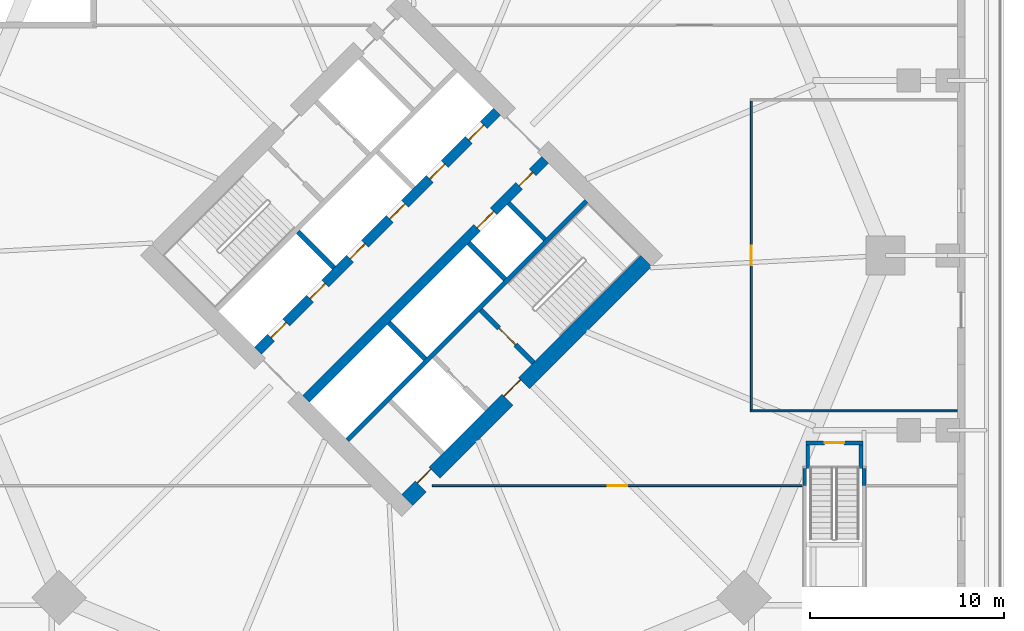
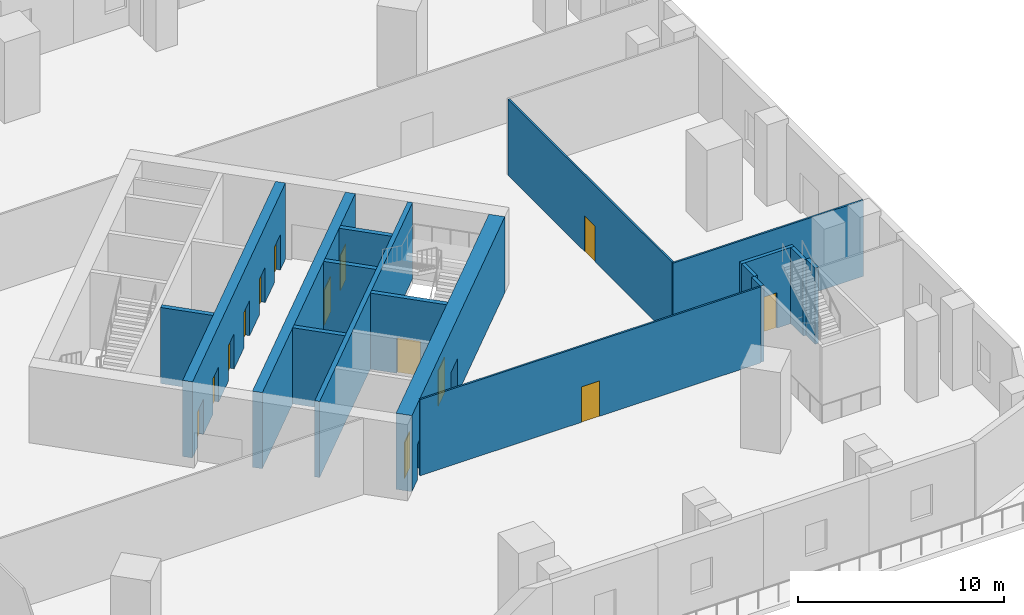
# One storey, part 9 of 17: 17 walls, 14 doors, 14 openings.
"""IFC4 building model written with IfcOpenShell, lengths in metres."""

import ifcopenshell
import ifcopenshell.guid

model = None  # the IFC model being written
_history = None  # IfcOwnerHistory: only IFC2X3 demands one
_inside = {}  # id of a spatial element -> (the spatial element, [elements in it])
_under = {}  # id of a project, library or spatial element -> (it, [spatial elements below it])
_declared = {}  # id of a project -> (the project, [libraries it declares])
_typed = {}  # id of a type object -> (the type object, [elements of that type])
_made_of = {}  # id of a material, layer set ... -> (it, [elements and type objects made of it])


def new_model(schema):
    """Start an empty IFC model of exactly this schema.

    Asked for "IFC4X3", IfcOpenShell would pick the latest addendum, in which some entities
    have other attributes; the version numbers below select the first issue.
    IFC2X3 requires an IfcOwnerHistory on every rooted entity: one is made here for all.
    """
    global model, _history
    if schema == "IFC4X3":
        model = ifcopenshell.file(schema_version=(4, 3, 0, 0))
    else:
        model = ifcopenshell.file(schema=schema)
    _inside.clear()
    _under.clear()
    _declared.clear()
    _typed.clear()
    _made_of.clear()
    _history = None
    if model.schema == "IFC2X3":
        org = make("IfcOrganization", Name="unknown")
        user = make(
            "IfcPersonAndOrganization",
            ThePerson=make("IfcPerson", FamilyName="unknown"),
            TheOrganization=org,
        )
        app = make(
            "IfcApplication",
            ApplicationDeveloper=org,
            Version="unknown",
            ApplicationFullName="unknown",
            ApplicationIdentifier="unknown",
        )
        _history = make(
            "IfcOwnerHistory",
            OwningUser=user,
            OwningApplication=app,
            ChangeAction="ADDED",
            CreationDate=0,
        )
    return model


def make(cls, **values):
    """One entity of the class cls with the attributes given. An attribute that is None is left unset."""
    return model.create_entity(
        cls, **{name: value for name, value in values.items() if value is not None}
    )


def rooted(cls, **values):
    """An entity with a GlobalId (a new one), such as an element, a storey or a relation."""
    return make(cls, GlobalId=ifcopenshell.guid.new(), OwnerHistory=_history, **values)


def si_unit(unit_type, name, prefix=None):
    """IfcSIUnit, for example si_unit("LENGTHUNIT", "METRE", prefix="MILLI")."""
    return make("IfcSIUnit", UnitType=unit_type, Prefix=prefix, Name=name)


def assignment(units):
    """IfcUnitAssignment: the units of a project."""
    return None if units is None else make("IfcUnitAssignment", Units=units)


def point(xyz):
    """IfcCartesianPoint."""
    return None if xyz is None else make("IfcCartesianPoint", Coordinates=xyz)


def direction(xyz):
    """IfcDirection."""
    return None if xyz is None else make("IfcDirection", DirectionRatios=xyz)


def frame(location, z_axis=None, x_axis=None):
    """IfcAxis2Placement3D, a coordinate frame: its origin and axes. An axis left out is left unset."""
    return make(
        "IfcAxis2Placement3D",
        Location=point(location),
        Axis=direction(z_axis),
        RefDirection=direction(x_axis),
    )


def frame_2d(location, x_axis=None):
    """IfcAxis2Placement2D, a coordinate frame in the plane: its origin and x axis."""
    return make(
        "IfcAxis2Placement2D", Location=point(location), RefDirection=direction(x_axis)
    )


def origin():
    """The frame at (0, 0, 0) with its axes left unset."""
    return frame((0.0, 0.0, 0.0))


def place(relative_to, where):
    """IfcLocalPlacement: puts the frame where relative to a parent placement (None: the world)."""
    return make(
        "IfcLocalPlacement", PlacementRelTo=relative_to, RelativePlacement=where
    )


def context(
    kind, dimensions, precision=None, world=None, true_north=None, identifier=None
):
    """IfcGeometricRepresentationContext, for example the 3D "Model" context."""
    return make(
        "IfcGeometricRepresentationContext",
        ContextIdentifier=identifier,
        ContextType=kind,
        CoordinateSpaceDimension=dimensions,
        Precision=precision,
        WorldCoordinateSystem=world,
        TrueNorth=true_north,
    )


def subcontext(parent, identifier, kind, view, scale=None):
    """IfcGeometricRepresentationSubContext, for example "Body" below "Model"."""
    return make(
        "IfcGeometricRepresentationSubContext",
        ContextIdentifier=identifier,
        ContextType=kind,
        ParentContext=parent,
        TargetScale=scale,
        TargetView=view,
    )


def project(units=None, contexts=None):
    """IfcProject with its units and contexts."""
    return rooted(
        "IfcProject",
        Name="project",
        RepresentationContexts=contexts,
        UnitsInContext=assignment(units),
    )


def spatial(cls, under=None, at=None, **own):
    """A site, building, storey or space (cls), placed at a placement, below another one or the project."""
    s = rooted(cls, ObjectPlacement=at, **own)
    if under is not None:
        _under.setdefault(under.id(), (under, []))[1].append(s)
    return s


def profile(cls, at=None, kind="AREA", **sizes):
    """A parametric profile (cls). Its sizes go by their IFC names, for example OverallWidth=200.0."""
    return make(cls, ProfileType=kind, Position=at, **sizes)


def rectangle(**sizes):
    """IfcRectangleProfileDef."""
    return profile("IfcRectangleProfileDef", **sizes)


def extrude(swept, where, along, depth):
    """IfcExtrudedAreaSolid: the profile swept, set in the frame where, extruded along a direction by depth."""
    return make(
        "IfcExtrudedAreaSolid",
        SweptArea=swept,
        Position=where,
        ExtrudedDirection=direction(along),
        Depth=depth,
    )


def shape(context_of_items, identifier, shape_type, items):
    """IfcShapeRepresentation: the items that make up one representation, for example the "Body"."""
    return make(
        "IfcShapeRepresentation",
        ContextOfItems=context_of_items,
        RepresentationIdentifier=identifier,
        RepresentationType=shape_type,
        Items=items,
    )


def material(Name=None, Category=None):
    """IfcMaterial."""
    return make("IfcMaterial", Name=Name, Category=Category)


def layer(
    of_material, thickness, ventilated=None, Name=None, Category=None, Priority=None
):
    """IfcMaterialLayer: one layer of a wall or slab, of a material (None: an air gap)."""
    return make(
        "IfcMaterialLayer",
        Material=of_material,
        LayerThickness=thickness,
        IsVentilated=ventilated,
        Name=Name,
        Category=Category,
        Priority=Priority,
    )


def layer_set(layers, Name=None):
    """IfcMaterialLayerSet."""
    return make("IfcMaterialLayerSet", MaterialLayers=layers, LayerSetName=Name)


def made_of(thing, what):
    """Note that an element or type object is made of a material, layer set ...; save() writes the relation."""
    if what is not None:
        _made_of.setdefault(what.id(), (what, []))[1].append(thing)
    return thing


def type_object(cls, material=None, **own):
    """A type object (cls), such as IfcWallType, which elements share."""
    return made_of(rooted(cls, **own), material)


def element(
    cls,
    number,
    at=None,
    inside=None,
    cuts=None,
    type_object=None,
    material=None,
    context=None,
    identifier="Body",
    shape_type=None,
    held_by="IfcProductDefinitionShape",
    body=None,
    shapes=None,
    **own,
):
    """One element of the class cls, such as IfcWall. Its Tag is "e" and its number.

    at: its placement. inside: the storey or other place that contains it. cuts: it is an
    opening in that element (IfcRelVoidsElement). A single representation is given by context,
    identifier, shape_type and body (its items); several are given by shapes. held_by: the class
    of the entity that holds the representations. save() writes the other relations.
    """
    e = rooted(cls, Tag="e%d" % number, ObjectPlacement=at, **own)
    if body is not None:
        shapes = [shape(context, identifier, shape_type, body)]
    if shapes is not None:
        e.Representation = make(held_by, Representations=shapes)
    if inside is not None:
        _inside.setdefault(inside.id(), (inside, []))[1].append(e)
    if cuts is not None:
        rooted(
            "IfcRelVoidsElement", RelatingBuildingElement=cuts, RelatedOpeningElement=e
        )
    if type_object is not None:
        _typed.setdefault(type_object.id(), (type_object, []))[1].append(e)
    return made_of(e, material)


def fill(opening, filler):
    """IfcRelFillsElement: the door or window that sits in an opening."""
    return rooted(
        "IfcRelFillsElement",
        RelatingOpeningElement=opening,
        RelatedBuildingElement=filler,
    )


def aggregate(whole, parts):
    """IfcRelAggregates: a whole, such as a stair, and the parts it consists of."""
    return rooted("IfcRelAggregates", RelatingObject=whole, RelatedObjects=parts)


def save(model, path):
    """Write the relations noted so far, then the file.

    IfcRelAggregates (storeys below a building ...), IfcRelContainedInSpatialStructure (elements
    in a storey), IfcRelDefinesByType, IfcRelAssociatesMaterial and IfcRelDeclares: one each for
    every whole, place, type object, material and project.
    """
    for whole, parts in _under.values():
        aggregate(whole, parts)
    for where, things in _inside.values():
        rooted(
            "IfcRelContainedInSpatialStructure",
            RelatedElements=things,
            RelatingStructure=where,
        )
    for kind, things in _typed.values():
        rooted("IfcRelDefinesByType", RelatedObjects=things, RelatingType=kind)
    for what, things in _made_of.values():
        rooted("IfcRelAssociatesMaterial", RelatedObjects=things, RelatingMaterial=what)
    for by, libraries in _declared.values():
        rooted("IfcRelDeclares", RelatingContext=by, RelatedDefinitions=libraries)
    model.write(path)


model = new_model("IFC4")

# Units and contexts
model_context = context("Model", 3, precision=1e-05, world=origin(), true_north=direction((0.0, 1.0)))
body_context = subcontext(model_context, "Body", "Model", "MODEL_VIEW")
ifc_project = project(units=[si_unit("LENGTHUNIT", "METRE"), si_unit("AREAUNIT", "SQUARE_METRE"), si_unit("VOLUMEUNIT", "CUBIC_METRE"), si_unit("PLANEANGLEUNIT", "RADIAN"), si_unit("MASSUNIT", "GRAM", prefix="KILO")], contexts=[model_context])

# Site, building, storey
site_placement = place(None, origin())
site = spatial("IfcSite", under=ifc_project, at=site_placement, CompositionType="ELEMENT")
building_placement = place(site_placement, origin())
building = spatial("IfcBuilding", under=site, at=building_placement, Name="Ogive Gate Towers", CompositionType="ELEMENT")
storey_placement = place(building_placement, frame((0.0, 0.0, 18.0)))
storey = spatial("IfcBuildingStorey", under=building, at=storey_placement, Name="L03", CompositionType="ELEMENT", Elevation=18.0)

# Wall, openings, doors
ifc_material_1 = material(Name="Concrete C60/75", Category="concrete")
ifc_layer_1 = layer(ifc_material_1, 0.800048828125)
ifc_layer_set_1 = layer_set([ifc_layer_1], Name="Core wall 800 mm")
wall_type_1 = type_object("IfcWallType", Name="Core wall 800 mm", PredefinedType="SHEAR", material=ifc_layer_set_1)
wall_1_placement = place(storey_placement, frame((36.28271484375, -12.58642578125, 0.0), z_axis=(0.0, 0.0, 1.0), x_axis=(0.707106781187, 0.707106781187, 0.0)))
wall_1 = element("IfcWall", 1, at=wall_1_placement, inside=storey, type_object=wall_type_1, Name="T2 L03 Core wall 800 mm", PredefinedType="SHEAR", context=body_context, shape_type="SweptSolid", body=[
    extrude(rectangle(XDim=17.400146484375, YDim=0.800048828125, at=frame_2d((8.7001953125, 0.0))), origin(), (0.0, 0.0, 1.0), 4.5),
])
opening_1_placement = place(wall_1_placement, frame((7.300048828125, 0.0, 0.0)))
opening_1 = element("IfcOpeningElement", 2, at=opening_1_placement, cuts=wall_1, Name="Opening KD-T2-L03-16", PredefinedType="OPENING", context=body_context, shape_type="SweptSolid", body=[
    extrude(rectangle(XDim=1.199951171875, YDim=2.10009765625, at=frame_2d((0.60009765625, 1.050048828125))), frame((0.0, 0.41015625, 0.0), z_axis=(0.0, -1.0, 0.0), x_axis=(1.0, 0.0, 0.0)), (0.0, 0.0, 1.0), 0.820068359375),
])
opening_2_placement = place(wall_1_placement, frame((1.0, 0.0, 0.0)))
opening_2 = element("IfcOpeningElement", 3, at=opening_2_placement, cuts=wall_1, Name="Opening KD-T2-L03-19", PredefinedType="OPENING", context=body_context, shape_type="SweptSolid", body=[
    extrude(rectangle(XDim=1.0, YDim=2.10009765625, at=frame_2d((0.5, 1.050048828125))), frame((0.0, 0.41015625, 0.0), z_axis=(0.0, -1.0, 0.0), x_axis=(1.0, 0.0, 0.0)), (0.0, 0.0, 1.0), 0.820068359375),
])
ifc_material_2 = material(Name="Timber door", Category="wood")
door_type_1 = type_object("IfcDoorType", Name="Accessible WC door 1000 x 2100", OperationType="NOTDEFINED", PredefinedType="DOOR", material=ifc_material_2)
door_1_placement = place(opening_2_placement, origin())
door_1 = element("IfcDoor", 4, at=door_1_placement, inside=storey, type_object=door_type_1, Name="T2 L03 Core door", OperationType="SINGLE_SWING_RIGHT", OverallHeight=2.10009765625, OverallWidth=1.0, PredefinedType="DOOR", context=body_context, shape_type="SweptSolid", body=[
    extrude(rectangle(XDim=1.0, YDim=2.10009765625, at=frame_2d((0.5, 1.050048828125))), frame((0.0, 0.27490234375, 0.0), z_axis=(0.0, -1.0, 0.0), x_axis=(1.0, 0.0, 0.0)), (0.0, 0.0, 1.0), 0.050048828125),
])
fill(opening_2, door_1)
ifc_material_3 = material(Name="Steel fire door", Category="steel")
door_type_2 = type_object("IfcDoorType", Name="Core door FD60S 1200 x 2100", OperationType="NOTDEFINED", PredefinedType="DOOR", material=ifc_material_3)
door_2_placement = place(opening_1_placement, origin())
door_2 = element("IfcDoor", 5, at=door_2_placement, inside=storey, type_object=door_type_2, Name="T2 L03 Fire-fighting lobby door", OperationType="SINGLE_SWING_LEFT", OverallHeight=2.10009765625, OverallWidth=1.199951171875, PredefinedType="DOOR", context=body_context, shape_type="SweptSolid", body=[
    extrude(rectangle(XDim=1.199951171875, YDim=2.10009765625, at=frame_2d((0.60009765625, 1.050048828125))), frame((0.0, 0.27490234375, 0.0), z_axis=(0.0, -1.0, 0.0), x_axis=(1.0, 0.0, 0.0)), (0.0, 0.0, 1.0), 0.050048828125),
])
fill(opening_1, door_2)

# Wall, opening, door
ifc_material_4 = material(Name="Gypsum board partition")
ifc_layer_2 = layer(ifc_material_4, 0.10009765625)
ifc_layer_set_2 = layer_set([ifc_layer_2], Name="Partition wall 100")
wall_type_2 = type_object("IfcWallType", Name="Partition wall 100", PredefinedType="PARTITIONING", material=ifc_layer_set_2)
wall_2_placement = place(storey_placement, frame((37.5849609375, -11.85009765625, 0.0), z_axis=(0.0, 0.0, 1.0), x_axis=(1.0, 0.0, 0.0)))
wall_2 = element("IfcWall", 6, at=wall_2_placement, inside=storey, type_object=wall_type_2, Name="L03 partition 031", PredefinedType="PARTITIONING", context=body_context, shape_type="SweptSolid", body=[
    extrude(rectangle(XDim=19.06494140625, YDim=0.10009765625, at=frame_2d((9.532470703125, 0.0))), origin(), (0.0, 0.0, 1.0), 4.5),
])
opening_3_placement = place(wall_2_placement, frame((9.032470703125, 0.0, 0.0)))
opening_3 = element("IfcOpeningElement", 7, at=opening_3_placement, cuts=wall_2, Name="Opening PO186", PredefinedType="OPENING", context=body_context, shape_type="SweptSolid", body=[
    extrude(rectangle(XDim=1.0, YDim=2.10009765625, at=frame_2d((0.5, 1.050048828125))), frame((0.0, 0.06005859375, 0.0), z_axis=(0.0, -1.0, 0.0), x_axis=(1.0, 0.0, 0.0)), (0.0, 0.0, 1.0), 0.1201171875),
])
door_type_3 = type_object("IfcDoorType", Name="Door 1000 x 2100", OperationType="NOTDEFINED", PredefinedType="DOOR", material=ifc_material_2)
door_3_placement = place(opening_3_placement, origin())
door_3 = element("IfcDoor", 8, at=door_3_placement, inside=storey, type_object=door_type_3, Name="Door PO186", OperationType="SINGLE_SWING_RIGHT", OverallHeight=2.10009765625, OverallWidth=1.0, PredefinedType="DOOR", context=body_context, shape_type="SweptSolid", body=[
    extrude(rectangle(XDim=1.0, YDim=2.10009765625, at=frame_2d((0.5, 1.050048828125))), frame((0.0, 0.02490234375, 0.0), z_axis=(0.0, -1.0, 0.0), x_axis=(1.0, 0.0, 0.0)), (0.0, 0.0, 1.0), 0.050048828125),
])
fill(opening_3, door_3)

# Wall
wall_3_placement = place(storey_placement, frame((53.949951171875, -8.0, 0.0), z_axis=(0.0, 0.0, 1.0), x_axis=(1.0, 0.0, 0.0)))
element("IfcWall", 9, at=wall_3_placement, inside=storey, type_object=wall_type_2, Name="L03 partition 036", PredefinedType="PARTITIONING", context=body_context, shape_type="SweptSolid", body=[
    extrude(rectangle(XDim=10.650146484375, YDim=0.10009765625, at=frame_2d((5.3251953125, 0.0))), origin(), (0.0, 0.0, 1.0), 4.5),
])

# Wall, opening, door
wall_4_placement = place(storey_placement, frame((54.0, -7.949951171875, 0.0), z_axis=(0.0, 0.0, 1.0), x_axis=(0.0, 1.0, 0.0)))
wall_4 = element("IfcWall", 10, at=wall_4_placement, inside=storey, type_object=wall_type_2, Name="L03 partition 038", PredefinedType="PARTITIONING", context=body_context, shape_type="SweptSolid", body=[
    extrude(rectangle(XDim=15.89990234375, YDim=0.10009765625, at=frame_2d((7.949951171875, 0.0))), origin(), (0.0, 0.0, 1.0), 4.5),
])
opening_4_placement = place(wall_4_placement, frame((7.449951171875, 0.0, 0.0)))
opening_4 = element("IfcOpeningElement", 11, at=opening_4_placement, cuts=wall_4, Name="Opening PO188", PredefinedType="OPENING", context=body_context, shape_type="SweptSolid", body=[
    extrude(rectangle(XDim=1.0, YDim=2.10009765625, at=frame_2d((0.5, 1.050048828125))), frame((0.0, 0.06005859375, 0.0), z_axis=(0.0, -1.0, 0.0), x_axis=(1.0, 0.0, 0.0)), (0.0, 0.0, 1.0), 0.1201171875),
])
door_4_placement = place(opening_4_placement, origin())
door_4 = element("IfcDoor", 12, at=door_4_placement, inside=storey, type_object=door_type_3, Name="Door PO188", OperationType="SINGLE_SWING_RIGHT", OverallHeight=2.10009765625, OverallWidth=1.0, PredefinedType="DOOR", context=body_context, shape_type="SweptSolid", body=[
    extrude(rectangle(XDim=1.0, YDim=2.10009765625, at=frame_2d((0.5, 1.050048828125))), frame((0.0, 0.02490234375, 0.0), z_axis=(0.0, -1.0, 0.0), x_axis=(1.0, 0.0, 0.0)), (0.0, 0.0, 1.0), 0.050048828125),
])
fill(opening_4, door_4)

# Walls
ifc_layer_3 = layer(ifc_material_1, 0.25)
ifc_layer_set_3 = layer_set([ifc_layer_3], Name="Shaft wall 250 mm")
wall_type_3 = type_object("IfcWallType", Name="Shaft wall 250 mm", PredefinedType="SHEAR", material=ifc_layer_set_3)
wall_5_placement = place(storey_placement, frame((33.206787109375, -9.510498046875, 0.0), z_axis=(0.0, 0.0, 1.0), x_axis=(0.707106781187, 0.707106781187, 0.0)))
element("IfcWall", 13, at=wall_5_placement, inside=storey, type_object=wall_type_3, Name="T2 L03 Shaft wall 250 mm", PredefinedType="SHEAR", context=body_context, shape_type="SweptSolid", body=[
    extrude(rectangle(XDim=17.400146484375, YDim=0.25, at=frame_2d((8.7001953125, 0.0))), origin(), (0.0, 0.0, 1.0), 4.5),
])
for number, where, z_axis, x_axis, name in (
    (14, (37.2197265625, -5.321044921875, 0.0), (0.0, 0.0, 1.0), (-0.707106781187, 0.707106781187, 0.0), "T2 L03 Shaft wall 250 mm"),
    (15, (32.53515625, -0.636474609375, 0.0), (0.0, 0.0, 1.0), (-0.707106781187, 0.707106781187, 0.0), "T2 L03 Shaft wall 250 mm"),
):
    element("IfcWall", number, at=place(storey_placement, frame(where, z_axis=z_axis, x_axis=x_axis)), inside=storey, type_object=wall_type_3, Name=name, PredefinedType="SHEAR", context=body_context, shape_type="SweptSolid", body=[
        extrude(rectangle(XDim=2.625, YDim=0.25, at=frame_2d((1.3125, 0.0))), origin(), (0.0, 0.0, 1.0), 4.5),
    ])

# Wall, opening, door
wall_6_placement = place(storey_placement, frame((42.7880859375, -5.515380859375, 0.0), z_axis=(0.0, 0.0, 1.0), x_axis=(-0.707106781187, 0.707106781187, 0.0)))
wall_6 = element("IfcWall", 16, at=wall_6_placement, inside=storey, type_object=wall_type_3, Name="T2 L03 Shaft wall 250 mm", PredefinedType="SHEAR", context=body_context, shape_type="SweptSolid", body=[
    extrude(rectangle(XDim=3.824951171875, YDim=0.25, at=frame_2d((1.91259765625, 0.0))), origin(), (0.0, 0.0, 1.0), 4.5),
])
opening_5_placement = place(wall_6_placement, frame((1.300048828125, 0.0, 0.0)))
opening_5 = element("IfcOpeningElement", 17, at=opening_5_placement, cuts=wall_6, Name="Opening KD-T2-L03-14", PredefinedType="OPENING", context=body_context, shape_type="SweptSolid", body=[
    extrude(rectangle(XDim=1.199951171875, YDim=2.10009765625, at=frame_2d((0.60009765625, 1.050048828125))), frame((0.0, 0.135009765625, 0.0), z_axis=(0.0, -1.0, 0.0), x_axis=(1.0, 0.0, 0.0)), (0.0, 0.0, 1.0), 0.27001953125),
])
door_5_placement = place(opening_5_placement, origin())
door_5 = element("IfcDoor", 18, at=door_5_placement, inside=storey, type_object=door_type_2, Name="T2 L03 Stair door", OperationType="SINGLE_SWING_LEFT", OverallHeight=2.10009765625, OverallWidth=1.199951171875, PredefinedType="DOOR", context=body_context, shape_type="SweptSolid", body=[
    extrude(rectangle(XDim=1.199951171875, YDim=2.10009765625, at=frame_2d((0.60009765625, 1.050048828125))), frame((0.0, 0.02490234375, 0.0), z_axis=(0.0, -1.0, 0.0), x_axis=(1.0, 0.0, 0.0)), (0.0, 0.0, 1.0), 0.050048828125),
])
fill(opening_5, door_5)

# Walls
for number, where, z_axis, x_axis, name in (
    (19, (41.321044921875, -1.2197265625, 0.0), (0.0, 0.0, 1.0), (-0.707106781187, 0.707106781187, 0.0), "T2 L03 Shaft wall 250 mm"),
    (20, (43.37158203125, 0.830810546875, 0.0), (0.0, 0.0, 1.0), (-0.707106781187, 0.707106781187, 0.0), "T2 L03 Shaft wall 250 mm"),
):
    element("IfcWall", number, at=place(storey_placement, frame(where, z_axis=z_axis, x_axis=x_axis)), inside=storey, type_object=wall_type_3, Name=name, PredefinedType="SHEAR", context=body_context, shape_type="SweptSolid", body=[
        extrude(rectangle(XDim=2.625, YDim=0.25, at=frame_2d((1.3125, 0.0))), origin(), (0.0, 0.0, 1.0), 4.5),
    ])

# Wall, openings, doors
ifc_layer_4 = layer(ifc_material_1, 0.5)
ifc_layer_set_4 = layer_set([ifc_layer_4], Name="Spine wall 500 mm")
wall_type_4 = type_object("IfcWallType", Name="Spine wall 500 mm", PredefinedType="SHEAR", material=ifc_layer_set_4)
wall_7_placement = place(storey_placement, frame((31.085693359375, -7.389404296875, 0.0), z_axis=(0.0, 0.0, 1.0), x_axis=(0.707106781187, 0.707106781187, 0.0)))
wall_7 = element("IfcWall", 21, at=wall_7_placement, inside=storey, type_object=wall_type_4, Name="T2 L03 Spine wall 500 mm", PredefinedType="SHEAR", context=body_context, shape_type="SweptSolid", body=[
    extrude(rectangle(XDim=17.400146484375, YDim=0.5, at=frame_2d((8.7001953125, 0.0))), origin(), (0.0, 0.0, 1.0), 4.5),
])
opening_6_placement = place(wall_7_placement, frame((12.449951171875, 0.0, 0.0)))
opening_6 = element("IfcOpeningElement", 22, at=opening_6_placement, cuts=wall_7, Name="Opening LD-T2-L03-09", PredefinedType="OPENING", context=body_context, shape_type="SweptSolid", body=[
    extrude(rectangle(XDim=1.199951171875, YDim=2.10009765625, at=frame_2d((0.60009765625, 1.050048828125))), frame((0.0, 0.260009765625, 0.0), z_axis=(0.0, -1.0, 0.0), x_axis=(1.0, 0.0, 0.0)), (0.0, 0.0, 1.0), 0.52001953125),
])
opening_7_placement = place(wall_7_placement, frame((15.5, 0.0, 0.0)))
opening_7 = element("IfcOpeningElement", 23, at=opening_7_placement, cuts=wall_7, Name="Opening KD-T2-L03-12", PredefinedType="OPENING", context=body_context, shape_type="SweptSolid", body=[
    extrude(rectangle(XDim=1.0, YDim=2.10009765625, at=frame_2d((0.5, 1.050048828125))), frame((0.0, 0.260009765625, 0.0), z_axis=(0.0, -1.0, 0.0), x_axis=(1.0, 0.0, 0.0)), (0.0, 0.0, 1.0), 0.52001953125),
])
door_type_4 = type_object("IfcDoorType", Name="Core door FD60S 1000 x 2100", OperationType="NOTDEFINED", PredefinedType="DOOR", material=ifc_material_3)
door_6_placement = place(opening_7_placement, origin())
door_6 = element("IfcDoor", 24, at=door_6_placement, inside=storey, type_object=door_type_4, Name="T2 L03 Core door", OperationType="SINGLE_SWING_LEFT", OverallHeight=2.10009765625, OverallWidth=1.0, PredefinedType="DOOR", context=body_context, shape_type="SweptSolid", body=[
    extrude(rectangle(XDim=1.0, YDim=2.10009765625, at=frame_2d((0.5, 1.050048828125))), frame((0.0, 0.02490234375, 0.0), z_axis=(0.0, -1.0, 0.0), x_axis=(1.0, 0.0, 0.0)), (0.0, 0.0, 1.0), 0.050048828125),
])
fill(opening_7, door_6)
ifc_material_5 = material(Name="Stainless steel landing door", Category="steel")
door_type_5 = type_object("IfcDoorType", Name="Landing door 1200 x 2100", OperationType="SLIDING_TO_LEFT", PredefinedType="DOOR", material=ifc_material_5)
door_7_placement = place(opening_6_placement, origin())
door_7 = element("IfcDoor", 25, at=door_7_placement, inside=storey, type_object=door_type_5, Name="T2 L03 Lift landing door SVC", OperationType="SLIDING_TO_LEFT", OverallHeight=2.10009765625, OverallWidth=1.199951171875, PredefinedType="DOOR", context=body_context, shape_type="SweptSolid", body=[
    extrude(rectangle(XDim=1.199951171875, YDim=2.10009765625, at=frame_2d((0.60009765625, 1.050048828125))), frame((0.0, 0.02490234375, 0.0), z_axis=(0.0, -1.0, 0.0), x_axis=(1.0, 0.0, 0.0)), (0.0, 0.0, 1.0), 0.050048828125),
])
fill(opening_6, door_7)

wall_8_placement = place(storey_placement, frame((28.610595703125, -4.914306640625, 0.0), z_axis=(0.0, 0.0, 1.0), x_axis=(0.707106781187, 0.707106781187, 0.0)))
wall_8 = element("IfcWall", 26, at=wall_8_placement, inside=storey, type_object=wall_type_4, Name="T2 L03 Spine wall 500 mm", PredefinedType="SHEAR", context=body_context, shape_type="SweptSolid", body=[
    extrude(rectangle(XDim=17.400146484375, YDim=0.5, at=frame_2d((8.7001953125, 0.0))), origin(), (0.0, 0.0, 1.0), 4.5),
])
opening_8_placement = place(wall_8_placement, frame((0.96240234375, 0.0, 0.0)))
opening_8 = element("IfcOpeningElement", 27, at=opening_8_placement, cuts=wall_8, Name="Opening LD-T2-L03-03", PredefinedType="OPENING", context=body_context, shape_type="SweptSolid", body=[
    extrude(rectangle(XDim=1.10009765625, YDim=2.10009765625, at=frame_2d((0.550048828125, 1.050048828125))), frame((0.0, 0.260009765625, 0.0), z_axis=(0.0, -1.0, 0.0), x_axis=(1.0, 0.0, 0.0)), (0.0, 0.0, 1.0), 0.52001953125),
])
opening_9_placement = place(wall_8_placement, frame((3.800048828125, 0.0, 0.0)))
opening_9 = element("IfcOpeningElement", 28, at=opening_9_placement, cuts=wall_8, Name="Opening LD-T2-L03-04", PredefinedType="OPENING", context=body_context, shape_type="SweptSolid", body=[
    extrude(rectangle(XDim=1.10009765625, YDim=2.10009765625, at=frame_2d((0.550048828125, 1.050048828125))), frame((0.0, 0.260009765625, 0.0), z_axis=(0.0, -1.0, 0.0), x_axis=(1.0, 0.0, 0.0)), (0.0, 0.0, 1.0), 0.52001953125),
])
opening_10_placement = place(wall_8_placement, frame((6.699951171875, 0.0, 0.0)))
opening_10 = element("IfcOpeningElement", 29, at=opening_10_placement, cuts=wall_8, Name="Opening LD-T2-L03-05", PredefinedType="OPENING", context=body_context, shape_type="SweptSolid", body=[
    extrude(rectangle(XDim=1.10009765625, YDim=2.10009765625, at=frame_2d((0.550048828125, 1.050048828125))), frame((0.0, 0.260009765625, 0.0), z_axis=(0.0, -1.0, 0.0), x_axis=(1.0, 0.0, 0.0)), (0.0, 0.0, 1.0), 0.52001953125),
])
opening_11_placement = place(wall_8_placement, frame((9.60009765625, 0.0, 0.0)))
opening_11 = element("IfcOpeningElement", 30, at=opening_11_placement, cuts=wall_8, Name="Opening LD-T2-L03-06", PredefinedType="OPENING", context=body_context, shape_type="SweptSolid", body=[
    extrude(rectangle(XDim=1.10009765625, YDim=2.10009765625, at=frame_2d((0.550048828125, 1.050048828125))), frame((0.0, 0.260009765625, 0.0), z_axis=(0.0, -1.0, 0.0), x_axis=(1.0, 0.0, 0.0)), (0.0, 0.0, 1.0), 0.52001953125),
])
opening_12_placement = place(wall_8_placement, frame((12.5, 0.0, 0.0)))
opening_12 = element("IfcOpeningElement", 31, at=opening_12_placement, cuts=wall_8, Name="Opening LD-T2-L03-07", PredefinedType="OPENING", context=body_context, shape_type="SweptSolid", body=[
    extrude(rectangle(XDim=1.10009765625, YDim=2.10009765625, at=frame_2d((0.550048828125, 1.050048828125))), frame((0.0, 0.260009765625, 0.0), z_axis=(0.0, -1.0, 0.0), x_axis=(1.0, 0.0, 0.0)), (0.0, 0.0, 1.0), 0.52001953125),
])
opening_13_placement = place(wall_8_placement, frame((15.33740234375, 0.0, 0.0)))
opening_13 = element("IfcOpeningElement", 32, at=opening_13_placement, cuts=wall_8, Name="Opening LD-T2-L03-08", PredefinedType="OPENING", context=body_context, shape_type="SweptSolid", body=[
    extrude(rectangle(XDim=1.10009765625, YDim=2.10009765625, at=frame_2d((0.550048828125, 1.050048828125))), frame((0.0, 0.260009765625, 0.0), z_axis=(0.0, -1.0, 0.0), x_axis=(1.0, 0.0, 0.0)), (0.0, 0.0, 1.0), 0.52001953125),
])
door_type_6 = type_object("IfcDoorType", Name="Landing door 1100 x 2100", OperationType="SLIDING_TO_LEFT", PredefinedType="DOOR", material=ifc_material_5)
door_8_placement = place(opening_8_placement, origin())
door_8 = element("IfcDoor", 33, at=door_8_placement, inside=storey, type_object=door_type_6, Name="T2 L03 Lift landing door A1", OperationType="SLIDING_TO_LEFT", OverallHeight=2.10009765625, OverallWidth=1.10009765625, PredefinedType="DOOR", context=body_context, shape_type="SweptSolid", body=[
    extrude(rectangle(XDim=1.10009765625, YDim=2.10009765625, at=frame_2d((0.550048828125, 1.050048828125))), frame((0.0, 0.02490234375, 0.0), z_axis=(0.0, -1.0, 0.0), x_axis=(1.0, 0.0, 0.0)), (0.0, 0.0, 1.0), 0.050048828125),
])
fill(opening_8, door_8)
door_9_placement = place(opening_9_placement, origin())
door_9 = element("IfcDoor", 34, at=door_9_placement, inside=storey, type_object=door_type_6, Name="T2 L03 Lift landing door A2", OperationType="SLIDING_TO_LEFT", OverallHeight=2.10009765625, OverallWidth=1.10009765625, PredefinedType="DOOR", context=body_context, shape_type="SweptSolid", body=[
    extrude(rectangle(XDim=1.10009765625, YDim=2.10009765625, at=frame_2d((0.550048828125, 1.050048828125))), frame((0.0, 0.02490234375, 0.0), z_axis=(0.0, -1.0, 0.0), x_axis=(1.0, 0.0, 0.0)), (0.0, 0.0, 1.0), 0.050048828125),
])
fill(opening_9, door_9)
door_10_placement = place(opening_10_placement, origin())
door_10 = element("IfcDoor", 35, at=door_10_placement, inside=storey, type_object=door_type_6, Name="T2 L03 Lift landing door A3", OperationType="SLIDING_TO_LEFT", OverallHeight=2.10009765625, OverallWidth=1.10009765625, PredefinedType="DOOR", context=body_context, shape_type="SweptSolid", body=[
    extrude(rectangle(XDim=1.10009765625, YDim=2.10009765625, at=frame_2d((0.550048828125, 1.050048828125))), frame((0.0, 0.02490234375, 0.0), z_axis=(0.0, -1.0, 0.0), x_axis=(1.0, 0.0, 0.0)), (0.0, 0.0, 1.0), 0.050048828125),
])
fill(opening_10, door_10)
door_11_placement = place(opening_11_placement, origin())
door_11 = element("IfcDoor", 36, at=door_11_placement, inside=storey, type_object=door_type_6, Name="T2 L03 Lift landing door A4", OperationType="SLIDING_TO_LEFT", OverallHeight=2.10009765625, OverallWidth=1.10009765625, PredefinedType="DOOR", context=body_context, shape_type="SweptSolid", body=[
    extrude(rectangle(XDim=1.10009765625, YDim=2.10009765625, at=frame_2d((0.550048828125, 1.050048828125))), frame((0.0, 0.02490234375, 0.0), z_axis=(0.0, -1.0, 0.0), x_axis=(1.0, 0.0, 0.0)), (0.0, 0.0, 1.0), 0.050048828125),
])
fill(opening_11, door_11)
door_12_placement = place(opening_12_placement, origin())
door_12 = element("IfcDoor", 37, at=door_12_placement, inside=storey, type_object=door_type_6, Name="T2 L03 Lift landing door A5", OperationType="SLIDING_TO_LEFT", OverallHeight=2.10009765625, OverallWidth=1.10009765625, PredefinedType="DOOR", context=body_context, shape_type="SweptSolid", body=[
    extrude(rectangle(XDim=1.10009765625, YDim=2.10009765625, at=frame_2d((0.550048828125, 1.050048828125))), frame((0.0, 0.02490234375, 0.0), z_axis=(0.0, -1.0, 0.0), x_axis=(1.0, 0.0, 0.0)), (0.0, 0.0, 1.0), 0.050048828125),
])
fill(opening_12, door_12)
door_13_placement = place(opening_13_placement, origin())
door_13 = element("IfcDoor", 38, at=door_13_placement, inside=storey, type_object=door_type_6, Name="T2 L03 Lift landing door A6", OperationType="SLIDING_TO_LEFT", OverallHeight=2.10009765625, OverallWidth=1.10009765625, PredefinedType="DOOR", context=body_context, shape_type="SweptSolid", body=[
    extrude(rectangle(XDim=1.10009765625, YDim=2.10009765625, at=frame_2d((0.550048828125, 1.050048828125))), frame((0.0, 0.02490234375, 0.0), z_axis=(0.0, -1.0, 0.0), x_axis=(1.0, 0.0, 0.0)), (0.0, 0.0, 1.0), 0.050048828125),
])
fill(opening_13, door_13)

# Wall, opening, door
ifc_material_6 = material(Name="Reinforced concrete C32/40", Category="concrete")
ifc_layer_5 = layer(ifc_material_6, 0.199951171875)
ifc_layer_set_5 = layer_set([ifc_layer_5], Name="Stair shaft wall 200")
wall_type_5 = type_object("IfcWallType", Name="Stair shaft wall 200", PredefinedType="SOLIDWALL", material=ifc_layer_set_5)
wall_9_placement = place(storey_placement, frame((56.800048828125, -9.64990234375, 0.0), z_axis=(0.0, 0.0, 1.0), x_axis=(1.0, 0.0, 0.0)))
wall_9 = element("IfcWall", 39, at=wall_9_placement, inside=storey, type_object=wall_type_5, Name="L03 stair shaft wall 012", PredefinedType="SOLIDWALL", context=body_context, shape_type="SweptSolid", body=[
    extrude(rectangle(XDim=2.949951171875, YDim=0.199951171875, at=frame_2d((1.47509765625, 0.0))), origin(), (0.0, 0.0, 1.0), 4.5),
])
opening_14_placement = place(wall_9_placement, frame((0.97509765625, 0.0, 0.0)))
opening_14 = element("IfcOpeningElement", 40, at=opening_14_placement, cuts=wall_9, Name="Opening PO180", PredefinedType="OPENING", context=body_context, shape_type="SweptSolid", body=[
    extrude(rectangle(XDim=1.0, YDim=2.10009765625, at=frame_2d((0.5, 1.050048828125))), frame((0.0, 0.10986328125, 0.0), z_axis=(0.0, -1.0, 0.0), x_axis=(1.0, 0.0, 0.0)), (0.0, 0.0, 1.0), 0.219970703125),
])
door_type_7 = type_object("IfcDoorType", Name="Interior fire door FD120S 1000 x 2100", OperationType="NOTDEFINED", PredefinedType="DOOR", material=ifc_material_3)
door_14_placement = place(opening_14_placement, origin())
door_14 = element("IfcDoor", 41, at=door_14_placement, inside=storey, type_object=door_type_7, Name="Door PO180", OperationType="SINGLE_SWING_RIGHT", OverallHeight=2.10009765625, OverallWidth=1.0, PredefinedType="DOOR", context=body_context, shape_type="SweptSolid", body=[
    extrude(rectangle(XDim=1.0, YDim=2.10009765625, at=frame_2d((0.5, 1.050048828125))), frame((0.0, 0.02490234375, 0.0), z_axis=(0.0, -1.0, 0.0), x_axis=(1.0, 0.0, 0.0)), (0.0, 0.0, 1.0), 0.050048828125),
])
fill(opening_14, door_14)

# Walls
wall_10_placement = place(storey_placement, frame((56.75, -11.85009765625, 0.0), z_axis=(0.0, 0.0, 1.0), x_axis=(0.0, 1.0, 0.0)))
element("IfcWall", 42, at=wall_10_placement, inside=storey, type_object=wall_type_5, Name="L03 stair shaft wall 013", PredefinedType="SOLIDWALL", context=body_context, shape_type="SweptSolid", body=[
    extrude(rectangle(XDim=0.885009765625, YDim=0.199951171875, at=frame_2d((0.4423828125, 0.0))), origin(), (0.0, 0.0, 1.0), 4.5),
])
for number, where, z_axis, x_axis, name in (
    (43, (56.89990234375, -10.965087890625, 0.0), (0.0, 0.0, 1.0), (0.0, 1.0, 0.0), "L03 stair shaft wall 014"),
    (44, (59.64990234375, -10.965087890625, 0.0), (0.0, 0.0, 1.0), (0.0, 1.0, 0.0), "L03 stair shaft wall 015"),
):
    element("IfcWall", number, at=place(storey_placement, frame(where, z_axis=z_axis, x_axis=x_axis)), inside=storey, type_object=wall_type_5, Name=name, PredefinedType="SOLIDWALL", context=body_context, shape_type="SweptSolid", body=[
        extrude(rectangle(XDim=1.215087890625, YDim=0.199951171875, at=frame_2d((0.607421875, 0.0))), origin(), (0.0, 0.0, 1.0), 4.5),
    ])
wall_11_placement = place(storey_placement, frame((59.800048828125, -11.85009765625, 0.0), z_axis=(0.0, 0.0, 1.0), x_axis=(0.0, 1.0, 0.0)))
element("IfcWall", 45, at=wall_11_placement, inside=storey, type_object=wall_type_5, Name="L03 stair shaft wall 016", PredefinedType="SOLIDWALL", context=body_context, shape_type="SweptSolid", body=[
    extrude(rectangle(XDim=0.885009765625, YDim=0.199951171875, at=frame_2d((0.4423828125, 0.0))), origin(), (0.0, 0.0, 1.0), 4.5),
])

save(model, "model.ifc")
